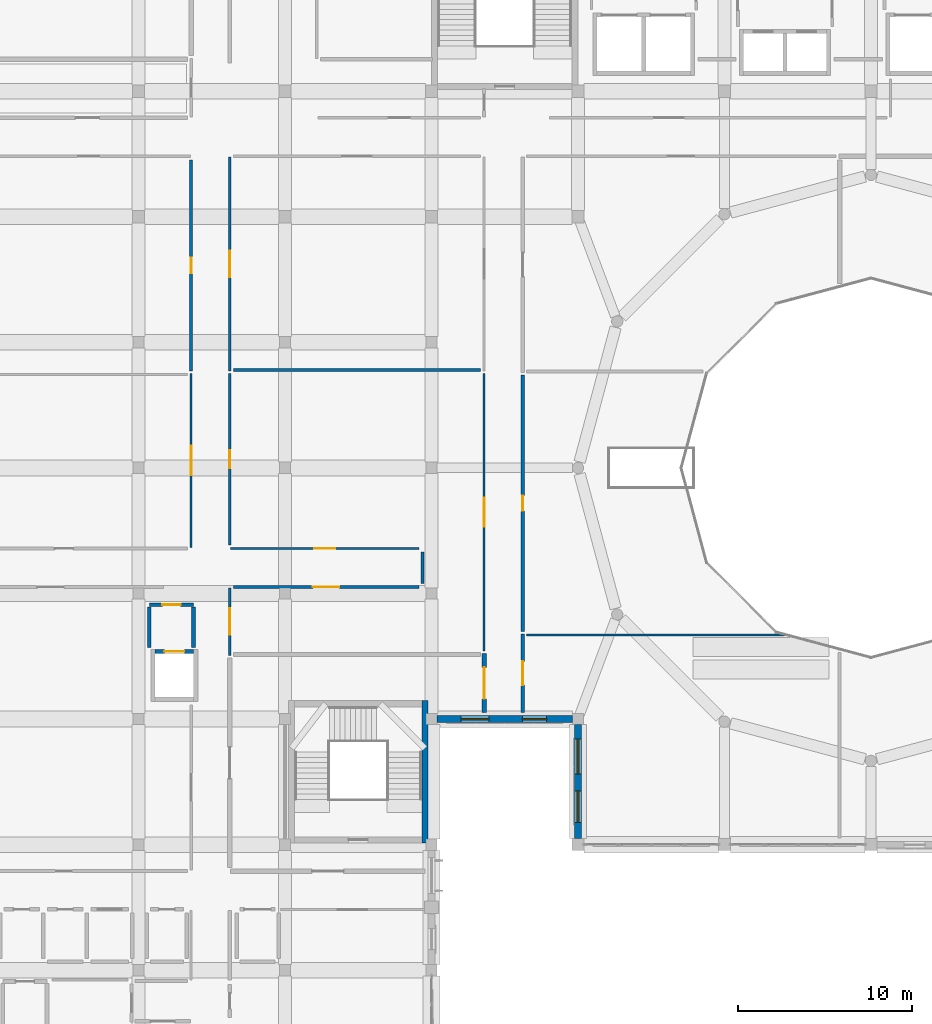
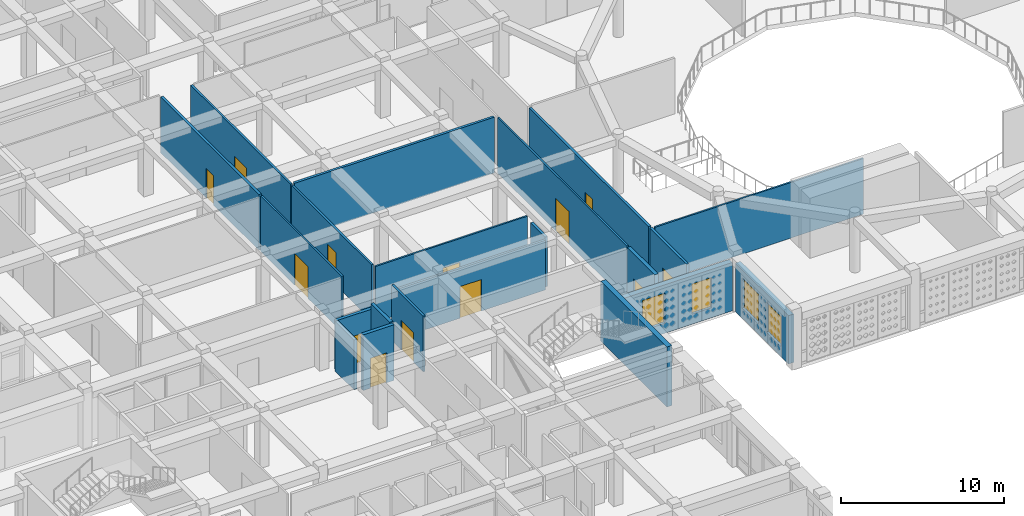
# One storey, part 44 of 79: 21 walls, 13 doors, 4 windows, 17 openings.
"""IFC4 building model written with IfcOpenShell, lengths in metres."""

from ifc_helpers import new_model, si_unit, derived_unit, direction, frame, frame_2d, origin, place, context, subcontext, project, spatial, rectangle, extrude, material, layer, layer_set, type_object, element, fill, save


model = new_model("IFC4")

# Units and contexts
model_context = context("Model", 3, precision=1e-05, world=origin(), true_north=direction((0.0, 1.0)))
body_context = subcontext(model_context, "Body", "Model", "MODEL_VIEW")
ifc_project = project(units=[si_unit("LENGTHUNIT", "METRE"), si_unit("AREAUNIT", "SQUARE_METRE"), si_unit("VOLUMEUNIT", "CUBIC_METRE"), si_unit("PLANEANGLEUNIT", "RADIAN"), si_unit("MASSUNIT", "GRAM", prefix="KILO"), derived_unit("THERMALTRANSMITTANCEUNIT", [(si_unit("POWERUNIT", "WATT"), 1), (si_unit("LENGTHUNIT", "METRE"), -2), (si_unit("THERMODYNAMICTEMPERATUREUNIT", "KELVIN"), -1)])], contexts=[model_context])

# Site, building, storey
site_placement = place(None, origin())
site = spatial("IfcSite", under=ifc_project, at=site_placement, CompositionType="ELEMENT")
building_placement = place(site_placement, origin())
building = spatial("IfcBuilding", under=site, at=building_placement, Name="Veybourne Emporium", CompositionType="ELEMENT")
storey_placement = place(building_placement, frame((0.0, 0.0, 18.89990234375)))
storey = spatial("IfcBuildingStorey", under=building, at=storey_placement, Name="L04", CompositionType="ELEMENT", Elevation=18.89990234375)

# Wall, openings, windows
ifc_material_1 = material(Name="Portland Limestone Ashlar", Category="masonry")
ifc_layer_1 = layer(ifc_material_1, 0.3798828125)
ifc_layer_set_1 = layer_set([ifc_layer_1], Name="Portland Limestone Ashlar")
wall_type_1 = type_object("IfcWallType", Name="ExtWall_EW-03", PredefinedType="SOLIDWALL", material=ifc_layer_set_1)
wall_1_placement = place(storey_placement, frame((58.47509765625, 36.0, 0.0), z_axis=(0.0, 0.0, 1.0), x_axis=(-1.0, 0.0, 0.0)))
wall_1 = element("IfcWall", 1, at=wall_1_placement, inside=storey, type_object=wall_type_1, Name="L04 Portland stone external wall 031", PredefinedType="SOLIDWALL", context=body_context, shape_type="SweptSolid", body=[
    extrude(rectangle(XDim=7.75, YDim=0.3798828125, at=frame_2d((3.875, 0.0))), origin(), (0.0, 0.0, 1.0), 3.630126953125),
])
opening_1_placement = place(wall_1_placement, frame((1.469970703125, 0.0, 0.75)))
opening_1 = element("IfcOpeningElement", 2, at=opening_1_placement, cuts=wall_1, Name="Opening W-18", PredefinedType="OPENING", context=body_context, shape_type="SweptSolid", body=[
    extrude(rectangle(XDim=1.39990234375, YDim=2.260009765625, at=frame_2d((0.699951171875, 1.1298828125))), frame((0.0, 0.2099609375, 0.0), z_axis=(0.0, -1.0, 0.0), x_axis=(1.0, 0.0, 0.0)), (0.0, 0.0, 1.0), 0.419921875),
])
opening_2_placement = place(wall_1_placement, frame((4.780029296875, 0.0, 0.75)))
opening_2 = element("IfcOpeningElement", 3, at=opening_2_placement, cuts=wall_1, Name="Opening W-19", PredefinedType="OPENING", context=body_context, shape_type="SweptSolid", body=[
    extrude(rectangle(XDim=1.60009765625, YDim=2.260009765625, at=frame_2d((0.800048828125, 1.1298828125))), frame((0.0, 0.2099609375, 0.0), z_axis=(0.0, -1.0, 0.0), x_axis=(1.0, 0.0, 0.0)), (0.0, 0.0, 1.0), 0.419921875),
])
ifc_material_2 = material(Name="Low-E Triple Glazing", Category="glass")
window_type_1 = type_object("IfcWindowType", Name="Win_W-18", PartitioningType="DOUBLE_PANEL_VERTICAL", PredefinedType="WINDOW", material=ifc_material_2)
window_1_placement = place(opening_1_placement, origin())
window_1 = element("IfcWindow", 4, at=window_1_placement, inside=storey, type_object=window_type_1, Name="L04 tripartite bronze casement window W-18 (31.1)", OverallHeight=2.260009765625, OverallWidth=1.39990234375, PartitioningType="DOUBLE_PANEL_VERTICAL", PredefinedType="WINDOW", context=body_context, shape_type="SweptSolid", body=[
    extrude(rectangle(XDim=1.39990234375, YDim=2.260009765625, at=frame_2d((0.699951171875, 1.1298828125))), frame((0.0, 0.030029296875, 0.0), z_axis=(0.0, -1.0, 0.0), x_axis=(1.0, 0.0, 0.0)), (0.0, 0.0, 1.0), 0.06005859375),
])
fill(opening_1, window_1)
window_type_2 = type_object("IfcWindowType", Name="Win_W-19", PartitioningType="DOUBLE_PANEL_VERTICAL", PredefinedType="WINDOW", material=ifc_material_2)
window_2_placement = place(opening_2_placement, origin())
window_2 = element("IfcWindow", 5, at=window_2_placement, inside=storey, type_object=window_type_2, Name="L04 tripartite bronze casement window W-19 (31.2)", OverallHeight=2.260009765625, OverallWidth=1.60009765625, PartitioningType="DOUBLE_PANEL_VERTICAL", PredefinedType="WINDOW", context=body_context, shape_type="SweptSolid", body=[
    extrude(rectangle(XDim=1.60009765625, YDim=2.260009765625, at=frame_2d((0.800048828125, 1.1298828125))), frame((0.0, 0.030029296875, 0.0), z_axis=(0.0, -1.0, 0.0), x_axis=(1.0, 0.0, 0.0)), (0.0, 0.0, 1.0), 0.06005859375),
])
fill(opening_2, window_2)

wall_2_placement = place(storey_placement, frame((58.800048828125, 29.14990234375, 0.0), z_axis=(0.0, 0.0, 1.0), x_axis=(0.0, 1.0, 0.0)))
wall_2 = element("IfcWall", 6, at=wall_2_placement, inside=storey, type_object=wall_type_1, Name="L04 Portland stone external wall 034", PredefinedType="SOLIDWALL", context=body_context, shape_type="SweptSolid", body=[
    extrude(rectangle(XDim=6.525146484375, YDim=0.3798828125, at=frame_2d((3.2626953125, 0.0))), origin(), (0.0, 0.0, 1.0), 3.630126953125),
])
opening_3_placement = place(wall_2_placement, frame((0.927001953125, 0.0, 0.75)))
opening_3 = element("IfcOpeningElement", 7, at=opening_3_placement, cuts=wall_2, Name="Opening W-20", PredefinedType="OPENING", context=body_context, shape_type="SweptSolid", body=[
    extrude(rectangle(XDim=1.800048828125, YDim=2.260009765625, at=frame_2d((0.89990234375, 1.1298828125))), frame((0.0, 0.2099609375, 0.0), z_axis=(0.0, -1.0, 0.0), x_axis=(1.0, 0.0, 0.0)), (0.0, 0.0, 1.0), 0.419921875),
])
opening_4_placement = place(wall_2_placement, frame((3.697998046875, 0.0, 0.75)))
opening_4 = element("IfcOpeningElement", 8, at=opening_4_placement, cuts=wall_2, Name="Opening W-21", PredefinedType="OPENING", context=body_context, shape_type="SweptSolid", body=[
    extrude(rectangle(XDim=2.0, YDim=2.260009765625, at=frame_2d((1.0, 1.1298828125))), frame((0.0, 0.2099609375, 0.0), z_axis=(0.0, -1.0, 0.0), x_axis=(1.0, 0.0, 0.0)), (0.0, 0.0, 1.0), 0.419921875),
])
window_type_3 = type_object("IfcWindowType", Name="Win_W-20", PartitioningType="DOUBLE_PANEL_VERTICAL", PredefinedType="WINDOW", material=ifc_material_2)
window_3_placement = place(opening_3_placement, origin())
window_3 = element("IfcWindow", 9, at=window_3_placement, inside=storey, type_object=window_type_3, Name="L04 tripartite bronze casement window W-20 (34.1)", OverallHeight=2.260009765625, OverallWidth=1.800048828125, PartitioningType="DOUBLE_PANEL_VERTICAL", PredefinedType="WINDOW", context=body_context, shape_type="SweptSolid", body=[
    extrude(rectangle(XDim=1.800048828125, YDim=2.260009765625, at=frame_2d((0.89990234375, 1.1298828125))), frame((0.0, 0.030029296875, 0.0), z_axis=(0.0, -1.0, 0.0), x_axis=(1.0, 0.0, 0.0)), (0.0, 0.0, 1.0), 0.06005859375),
])
fill(opening_3, window_3)
window_type_4 = type_object("IfcWindowType", Name="Win_W-21", PartitioningType="TRIPLE_PANEL_VERTICAL", PredefinedType="WINDOW", material=ifc_material_2)
window_4_placement = place(opening_4_placement, origin())
window_4 = element("IfcWindow", 10, at=window_4_placement, inside=storey, type_object=window_type_4, Name="L04 tripartite bronze casement window W-21 (34.2)", OverallHeight=2.260009765625, OverallWidth=2.0, PartitioningType="TRIPLE_PANEL_VERTICAL", PredefinedType="WINDOW", context=body_context, shape_type="SweptSolid", body=[
    extrude(rectangle(XDim=2.0, YDim=2.260009765625, at=frame_2d((1.0, 1.1298828125))), frame((0.0, 0.030029296875, 0.0), z_axis=(0.0, -1.0, 0.0), x_axis=(1.0, 0.0, 0.0)), (0.0, 0.0, 1.0), 0.06005859375),
])
fill(opening_4, window_4)

# Wall
ifc_material_3 = material(Name="Concrete C40/50", Category="concrete")
ifc_layer_2 = layer(ifc_material_3, 0.35009765625)
ifc_layer_set_2 = layer_set([ifc_layer_2], Name="Concrete C40/50")
wall_type_2 = type_object("IfcWallType", Name="IntWall_CW-02", PredefinedType="SHEAR", material=ifc_layer_set_2)
wall_3_placement = place(storey_placement, frame((50.02490234375, 28.89990234375, 0.0), z_axis=(0.0, 0.0, 1.0), x_axis=(0.0, 1.0, 0.0)))
element("IfcWall", 11, at=wall_3_placement, inside=storey, type_object=wall_type_2, Name="Core stair ST-05 east shear wall (L04)", PredefinedType="SHEAR", context=body_context, shape_type="SweptSolid", body=[
    extrude(rectangle(XDim=8.150146484375, YDim=0.35009765625, at=frame_2d((4.0751953125, 0.0))), origin(), (0.0, 0.0, 1.0), 4.5),
])

# Wall, opening, door
ifc_layer_3 = layer(ifc_material_3, 0.239990234375)
ifc_layer_set_3 = layer_set([ifc_layer_3], Name="Concrete C40/50")
wall_type_3 = type_object("IfcWallType", Name="IntWall_CW-04", PredefinedType="SHEAR", material=ifc_layer_set_3)
wall_4_placement = place(storey_placement, frame((36.760009765625, 39.8701171875, 0.0), z_axis=(0.0, 0.0, 1.0), x_axis=(-1.0, 0.0, 0.0)))
wall_4 = element("IfcWall", 12, at=wall_4_placement, inside=storey, type_object=wall_type_3, Name="Lift core C3 north shaft wall (L04)", PredefinedType="SHEAR", context=body_context, shape_type="SweptSolid", body=[
    extrude(rectangle(XDim=2.199951171875, YDim=0.239990234375, at=frame_2d((1.10009765625, 0.0))), origin(), (0.0, 0.0, 1.0), 4.18017578125),
])
opening_5_placement = place(wall_4_placement, frame((0.52490234375, 0.0, 0.0)))
opening_5 = element("IfcOpeningElement", 13, at=opening_5_placement, cuts=wall_4, Name="Opening LD-02", PredefinedType="OPENING", context=body_context, shape_type="SweptSolid", body=[
    extrude(rectangle(XDim=1.14990234375, YDim=2.25, at=frame_2d((0.574951171875, 1.125))), frame((0.0, 0.14013671875, 0.0), z_axis=(0.0, -1.0, 0.0), x_axis=(1.0, 0.0, 0.0)), (0.0, 0.0, 1.0), 0.280029296875),
])
ifc_material_4 = material(Name="Patinated Architectural Bronze", Category="bronze")
door_type_1 = type_object("IfcDoorType", Name="FireDoor_LD-02", OperationType="SLIDING_TO_LEFT", PredefinedType="DOOR", material=ifc_material_4)
door_1_placement = place(opening_5_placement, origin())
door_1 = element("IfcDoor", 14, at=door_1_placement, inside=storey, type_object=door_type_1, Name="Lift FFL-03 sliding landing door (L04)", OperationType="SLIDING_TO_LEFT", OverallHeight=2.25, OverallWidth=1.14990234375, PredefinedType="DOOR", context=body_context, shape_type="SweptSolid", body=[
    extrude(rectangle(XDim=1.14990234375, YDim=2.25, at=frame_2d((0.574951171875, 1.125))), frame((0.0, 0.02490234375, 0.0), z_axis=(0.0, -1.0, 0.0), x_axis=(1.0, 0.0, 0.0)), (0.0, 0.0, 1.0), 0.050048828125),
])
fill(opening_5, door_1)

ifc_material_5 = material(Name="Concrete C32/40", Category="concrete")
ifc_layer_4 = layer(ifc_material_5, 0.25)
ifc_layer_set_4 = layer_set([ifc_layer_4], Name="Concrete C32/40")
wall_type_4 = type_object("IfcWallType", Name="IntWall_FW-01", PredefinedType="SOLIDWALL", material=ifc_layer_set_4)
wall_5_placement = place(storey_placement, frame((53.419921875, 36.3701171875, 0.0), z_axis=(0.0, 0.0, 1.0), x_axis=(0.0, 1.0, 0.0)))
wall_5 = element("IfcWall", 15, at=wall_5_placement, inside=storey, type_object=wall_type_4, Name="L04 interior partition FW-01 #067", PredefinedType="SOLIDWALL", context=body_context, shape_type="SweptSolid", body=[
    extrude(rectangle(XDim=3.3798828125, YDim=0.25, at=frame_2d((1.68994140625, 0.0))), origin(), (0.0, 0.0, 1.0), 4.18017578125),
])
opening_6_placement = place(wall_5_placement, frame((0.7900390625, 0.0, 0.0)))
opening_6 = element("IfcOpeningElement", 16, at=opening_6_placement, cuts=wall_5, Name="Opening FD-03", PredefinedType="OPENING", context=body_context, shape_type="SweptSolid", body=[
    extrude(rectangle(XDim=1.800048828125, YDim=2.300048828125, at=frame_2d((0.89990234375, 1.14990234375))), frame((0.0, 0.14501953125, 0.0), z_axis=(0.0, -1.0, 0.0), x_axis=(1.0, 0.0, 0.0)), (0.0, 0.0, 1.0), 0.2900390625),
])
door_type_2 = type_object("IfcDoorType", Name="FireDoor_FD-03", OperationType="DOUBLE_DOOR_SINGLE_SWING", PredefinedType="DOOR", material=ifc_material_4)
door_2_placement = place(opening_6_placement, origin())
door_2 = element("IfcDoor", 17, at=door_2_placement, inside=storey, type_object=door_type_2, Name="L04 interior door FD-03 (PART-L04-067)", OperationType="DOUBLE_DOOR_SINGLE_SWING", OverallHeight=2.300048828125, OverallWidth=1.800048828125, PredefinedType="DOOR", context=body_context, shape_type="SweptSolid", body=[
    extrude(rectangle(XDim=1.800048828125, YDim=2.300048828125, at=frame_2d((0.89990234375, 1.14990234375))), frame((0.0, 0.02490234375, 0.0), z_axis=(0.0, -1.0, 0.0), x_axis=(1.0, 0.0, 0.0)), (0.0, 0.0, 1.0), 0.050048828125),
])
fill(opening_6, door_2)

ifc_layer_5 = layer(ifc_material_5, 0.219970703125)
ifc_layer_set_5 = layer_set([ifc_layer_5], Name="Concrete C32/40")
wall_type_5 = type_object("IfcWallType", Name="IntWall_FW-02", PredefinedType="SOLIDWALL", material=ifc_layer_set_5)
wall_6_placement = place(storey_placement, frame((34.219970703125, 42.550048828125, 0.0), z_axis=(0.0, 0.0, 1.0), x_axis=(1.0, 0.0, 0.0)))
wall_6 = element("IfcWall", 18, at=wall_6_placement, inside=storey, type_object=wall_type_5, Name="Firefighting lobby C3 fire wall N (L04)", PredefinedType="SOLIDWALL", context=body_context, shape_type="SweptSolid", body=[
    extrude(rectangle(XDim=2.5400390625, YDim=0.219970703125, at=frame_2d((1.27001953125, 0.0))), origin(), (0.0, 0.0, 1.0), 3.72998046875),
])
opening_7_placement = place(wall_6_placement, frame((0.7451171875, 0.0, 0.0)))
opening_7 = element("IfcOpeningElement", 19, at=opening_7_placement, cuts=wall_6, Name="Opening FD-02", PredefinedType="OPENING", context=body_context, shape_type="SweptSolid", body=[
    extrude(rectangle(XDim=1.050048828125, YDim=2.14990234375, at=frame_2d((0.52490234375, 1.074951171875))), frame((0.0, 0.1298828125, 0.0), z_axis=(0.0, -1.0, 0.0), x_axis=(1.0, 0.0, 0.0)), (0.0, 0.0, 1.0), 0.260009765625),
])
door_type_3 = type_object("IfcDoorType", Name="FireDoor_FD-02", OperationType="NOTDEFINED", PredefinedType="DOOR", material=ifc_material_4)
door_3_placement = place(opening_7_placement, origin())
door_3 = element("IfcDoor", 20, at=door_3_placement, inside=storey, type_object=door_type_3, Name="Firefighting lobby C3 FD60S door N (L04)", OperationType="SINGLE_SWING_RIGHT", OverallHeight=2.14990234375, OverallWidth=1.050048828125, PredefinedType="DOOR", context=body_context, shape_type="SweptSolid", body=[
    extrude(rectangle(XDim=1.050048828125, YDim=2.14990234375, at=frame_2d((0.52490234375, 1.074951171875))), frame((0.0, 0.02490234375, 0.0), z_axis=(0.0, -1.0, 0.0), x_axis=(1.0, 0.0, 0.0)), (0.0, 0.0, 1.0), 0.050048828125),
])
fill(opening_7, door_3)

# Walls
wall_7_placement = place(storey_placement, frame((34.219970703125, 40.110107421875, 0.0), z_axis=(0.0, 0.0, 1.0), x_axis=(0.0, 1.0, 0.0)))
element("IfcWall", 21, at=wall_7_placement, inside=storey, type_object=wall_type_5, Name="Firefighting lobby C3 fire wall W (L04)", PredefinedType="SOLIDWALL", context=body_context, shape_type="SweptSolid", body=[
    extrude(rectangle(XDim=2.31982421875, YDim=0.219970703125, at=frame_2d((1.159912109375, 0.0))), origin(), (0.0, 0.0, 1.0), 3.72998046875),
])
wall_8_placement = place(storey_placement, frame((36.760009765625, 40.110107421875, 0.0), z_axis=(0.0, 0.0, 1.0), x_axis=(0.0, 1.0, 0.0)))
element("IfcWall", 22, at=wall_8_placement, inside=storey, type_object=wall_type_5, Name="Firefighting lobby C3 fire wall E (L04)", PredefinedType="SOLIDWALL", context=body_context, shape_type="SweptSolid", body=[
    extrude(rectangle(XDim=2.31982421875, YDim=0.219970703125, at=frame_2d((1.159912109375, 0.0))), origin(), (0.0, 0.0, 1.0), 4.18017578125),
])

# Wall, opening, door
ifc_material_6 = material(Name="Gypsum Acoustic Board", Category="gypsum")
ifc_layer_6 = layer(ifc_material_6, 0.179931640625)
ifc_layer_set_6 = layer_set([ifc_layer_6], Name="Gypsum Acoustic Board")
wall_type_6 = type_object("IfcWallType", Name="IntWall_IW-01", PredefinedType="PARTITIONING", material=ifc_layer_set_6)
wall_9_placement = place(storey_placement, frame((55.6298828125, 41.030029296875, 0.0), z_axis=(0.0, 0.0, 1.0), x_axis=(0.0, 1.0, 0.0)))
wall_9 = element("IfcWall", 23, at=wall_9_placement, inside=storey, type_object=wall_type_6, Name="L04 interior partition IW-01 #013", PredefinedType="PARTITIONING", context=body_context, shape_type="SweptSolid", body=[
    extrude(rectangle(XDim=14.68994140625, YDim=0.179931640625, at=frame_2d((7.344970703125, 0.0))), origin(), (0.0, 0.0, 1.0), 4.18017578125),
])
opening_8_placement = place(wall_9_placement, frame((6.905029296875, 0.0, 0.0)))
opening_8 = element("IfcOpeningElement", 24, at=opening_8_placement, cuts=wall_9, Name="Opening D-01", PredefinedType="OPENING", context=body_context, shape_type="SweptSolid", body=[
    extrude(rectangle(XDim=0.8798828125, YDim=2.050048828125, at=frame_2d((0.43994140625, 1.02490234375))), frame((0.0, 0.10986328125, 0.0), z_axis=(0.0, -1.0, 0.0), x_axis=(1.0, 0.0, 0.0)), (0.0, 0.0, 1.0), 0.219970703125),
])
ifc_material_7 = material(Name="European Oak Veneer and Bronze", Category="wood")
door_type_4 = type_object("IfcDoorType", Name="IntDoor_D-01", OperationType="NOTDEFINED", PredefinedType="DOOR", material=ifc_material_7)
door_4_placement = place(opening_8_placement, origin())
door_4 = element("IfcDoor", 25, at=door_4_placement, inside=storey, type_object=door_type_4, Name="L04 interior door D-01 (PART-L04-013)", OperationType="SINGLE_SWING_LEFT", OverallHeight=2.050048828125, OverallWidth=0.8798828125, PredefinedType="DOOR", context=body_context, shape_type="SweptSolid", body=[
    extrude(rectangle(XDim=0.8798828125, YDim=2.050048828125, at=frame_2d((0.43994140625, 1.02490234375))), frame((0.0, 0.02490234375, 0.0), z_axis=(0.0, -1.0, 0.0), x_axis=(1.0, 0.0, 0.0)), (0.0, 0.0, 1.0), 0.050048828125),
])
fill(opening_8, door_4)

wall_10_placement = place(storey_placement, frame((36.6201171875, 55.965087890625, 0.0), z_axis=(0.0, 0.0, 1.0), x_axis=(0.0, 1.0, 0.0)))
wall_10 = element("IfcWall", 26, at=wall_10_placement, inside=storey, type_object=wall_type_6, Name="L04 interior partition IW-01 #025", PredefinedType="PARTITIONING", context=body_context, shape_type="SweptSolid", body=[
    extrude(rectangle(XDim=12.094970703125, YDim=0.179931640625, at=frame_2d((6.04736328125, 0.0))), origin(), (0.0, 0.0, 1.0), 4.18017578125),
])
opening_9_placement = place(wall_10_placement, frame((5.607421875, 0.0, 0.0)))
opening_9 = element("IfcOpeningElement", 27, at=opening_9_placement, cuts=wall_10, Name="Opening D-13", PredefinedType="OPENING", context=body_context, shape_type="SweptSolid", body=[
    extrude(rectangle(XDim=0.8798828125, YDim=2.2099609375, at=frame_2d((0.43994140625, 1.10498046875))), frame((0.0, 0.10986328125, 0.0), z_axis=(0.0, -1.0, 0.0), x_axis=(1.0, 0.0, 0.0)), (0.0, 0.0, 1.0), 0.219970703125),
])
door_type_5 = type_object("IfcDoorType", Name="IntDoor_D-13", OperationType="NOTDEFINED", PredefinedType="DOOR", material=ifc_material_7)
door_5_placement = place(opening_9_placement, origin())
door_5 = element("IfcDoor", 28, at=door_5_placement, inside=storey, type_object=door_type_5, Name="L04 interior door D-13 (PART-L04-025)", OperationType="SINGLE_SWING_RIGHT", OverallHeight=2.2099609375, OverallWidth=0.8798828125, PredefinedType="DOOR", context=body_context, shape_type="SweptSolid", body=[
    extrude(rectangle(XDim=0.8798828125, YDim=2.2099609375, at=frame_2d((0.43994140625, 1.10498046875))), frame((0.0, 0.02490234375, 0.0), z_axis=(0.0, -1.0, 0.0), x_axis=(1.0, 0.0, 0.0)), (0.0, 0.0, 1.0), 0.050048828125),
])
fill(opening_9, door_5)

wall_11_placement = place(storey_placement, frame((55.6298828125, 36.3701171875, 0.0), z_axis=(0.0, 0.0, 1.0), x_axis=(0.0, 1.0, 0.0)))
wall_11 = element("IfcWall", 29, at=wall_11_placement, inside=storey, type_object=wall_type_6, Name="L04 interior partition IW-01 #058", PredefinedType="PARTITIONING", context=body_context, shape_type="SweptSolid", body=[
    extrude(rectangle(XDim=4.5, YDim=0.179931640625, at=frame_2d((2.25, 0.0))), origin(), (0.0, 0.0, 1.0), 4.18017578125),
])
opening_10_placement = place(wall_11_placement, frame((1.570068359375, 0.0, 0.0)))
opening_10 = element("IfcOpeningElement", 30, at=opening_10_placement, cuts=wall_11, Name="Opening D-10", PredefinedType="OPENING", context=body_context, shape_type="SweptSolid", body=[
    extrude(rectangle(XDim=1.360107421875, YDim=2.1298828125, at=frame_2d((0.68017578125, 1.06494140625))), frame((0.0, 0.10986328125, 0.0), z_axis=(0.0, -1.0, 0.0), x_axis=(1.0, 0.0, 0.0)), (0.0, 0.0, 1.0), 0.219970703125),
])
door_type_6 = type_object("IfcDoorType", Name="IntDoor_D-10", OperationType="NOTDEFINED", PredefinedType="DOOR", material=ifc_material_7)
door_6_placement = place(opening_10_placement, origin())
door_6 = element("IfcDoor", 31, at=door_6_placement, inside=storey, type_object=door_type_6, Name="L04 interior door D-10 (PART-L04-058)", OperationType="SINGLE_SWING_LEFT", OverallHeight=2.1298828125, OverallWidth=1.360107421875, PredefinedType="DOOR", context=body_context, shape_type="SweptSolid", body=[
    extrude(rectangle(XDim=1.360107421875, YDim=2.1298828125, at=frame_2d((0.68017578125, 1.06494140625))), frame((0.0, 0.02490234375, 0.0), z_axis=(0.0, -1.0, 0.0), x_axis=(1.0, 0.0, 0.0)), (0.0, 0.0, 1.0), 0.050048828125),
])
fill(opening_10, door_6)

# Walls
wall_12_placement = place(storey_placement, frame((49.8798828125, 43.780029296875, 0.0), z_axis=(0.0, 0.0, 1.0), x_axis=(0.0, 1.0, 0.0)))
element("IfcWall", 32, at=wall_12_placement, inside=storey, type_object=wall_type_6, Name="L04 interior partition IW-01 #094", PredefinedType="PARTITIONING", context=body_context, shape_type="SweptSolid", body=[
    extrude(rectangle(XDim=1.7900390625, YDim=0.179931640625, at=frame_2d((0.89501953125, 0.0))), origin(), (0.0, 0.0, 1.0), 3.72998046875),
])
wall_13_placement = place(storey_placement, frame((39.0400390625, 56.010009765625, 0.0), z_axis=(0.0, 0.0, 1.0), x_axis=(1.0, 0.0, 0.0)))
element("IfcWall", 33, at=wall_13_placement, inside=storey, type_object=wall_type_6, Name="L04 interior partition IW-01 #112", PredefinedType="PARTITIONING", context=body_context, shape_type="SweptSolid", body=[
    extrude(rectangle(XDim=14.169921875, YDim=0.179931640625, at=frame_2d((7.0849609375, 0.0))), origin(), (0.0, 0.0, 1.0), 4.18017578125),
])

# Wall, opening, door
ifc_layer_7 = layer(ifc_material_6, 0.14990234375)
ifc_layer_set_7 = layer_set([ifc_layer_7], Name="Gypsum Acoustic Board")
wall_type_7 = type_object("IfcWallType", Name="IntWall_IW-02", PredefinedType="PARTITIONING", material=ifc_layer_set_7)
wall_14_placement = place(storey_placement, frame((38.830078125, 55.9599609375, 0.0), z_axis=(0.0, 0.0, 1.0), x_axis=(0.0, 1.0, 0.0)))
wall_14 = element("IfcWall", 34, at=wall_14_placement, inside=storey, type_object=wall_type_7, Name="L04 interior partition IW-02 #023", PredefinedType="PARTITIONING", context=body_context, shape_type="SweptSolid", body=[
    extrude(rectangle(XDim=12.260009765625, YDim=0.14990234375, at=frame_2d((6.1298828125, 0.0))), origin(), (0.0, 0.0, 1.0), 4.18017578125),
])
opening_11_placement = place(wall_14_placement, frame((5.3701171875, 0.0, 0.0)))
opening_11 = element("IfcOpeningElement", 35, at=opening_11_placement, cuts=wall_14, Name="Opening D-11", PredefinedType="OPENING", context=body_context, shape_type="SweptSolid", body=[
    extrude(rectangle(XDim=1.52001953125, YDim=2.1298828125, at=frame_2d((0.760009765625, 1.06494140625))), frame((0.0, 0.094970703125, 0.0), z_axis=(0.0, -1.0, 0.0), x_axis=(1.0, 0.0, 0.0)), (0.0, 0.0, 1.0), 0.18994140625),
])
door_type_7 = type_object("IfcDoorType", Name="IntDoor_D-11", OperationType="NOTDEFINED", PredefinedType="DOOR", material=ifc_material_7)
door_7_placement = place(opening_11_placement, origin())
door_7 = element("IfcDoor", 36, at=door_7_placement, inside=storey, type_object=door_type_7, Name="L04 interior door D-11 (PART-L04-023)", OperationType="SINGLE_SWING_LEFT", OverallHeight=2.1298828125, OverallWidth=1.52001953125, PredefinedType="DOOR", context=body_context, shape_type="SweptSolid", body=[
    extrude(rectangle(XDim=1.52001953125, YDim=2.1298828125, at=frame_2d((0.760009765625, 1.06494140625))), frame((0.0, 0.02490234375, 0.0), z_axis=(0.0, -1.0, 0.0), x_axis=(1.0, 0.0, 0.0)), (0.0, 0.0, 1.0), 0.050048828125),
])
fill(opening_11, door_7)

wall_15_placement = place(storey_placement, frame((39.0400390625, 43.570068359375, 0.0), z_axis=(0.0, 0.0, 1.0), x_axis=(1.0, 0.0, 0.0)))
wall_15 = element("IfcWall", 37, at=wall_15_placement, inside=storey, type_object=wall_type_7, Name="L04 interior partition IW-02 #041", PredefinedType="PARTITIONING", context=body_context, shape_type="SweptSolid", body=[
    extrude(rectangle(XDim=10.6298828125, YDim=0.14990234375, at=frame_2d((5.31494140625, 0.0))), origin(), (0.0, 0.0, 1.0), 3.72998046875),
])
opening_12_placement = place(wall_15_placement, frame((4.554931640625, 0.0, 0.0)))
opening_12 = element("IfcOpeningElement", 38, at=opening_12_placement, cuts=wall_15, Name="Opening D-29", PredefinedType="OPENING", context=body_context, shape_type="SweptSolid", body=[
    extrude(rectangle(XDim=1.52001953125, YDim=2.3701171875, at=frame_2d((0.760009765625, 1.18505859375))), frame((0.0, 0.094970703125, 0.0), z_axis=(0.0, -1.0, 0.0), x_axis=(1.0, 0.0, 0.0)), (0.0, 0.0, 1.0), 0.18994140625),
])
door_type_8 = type_object("IfcDoorType", Name="IntDoor_D-29", OperationType="NOTDEFINED", PredefinedType="DOOR", material=ifc_material_7)
door_8_placement = place(opening_12_placement, origin())
door_8 = element("IfcDoor", 39, at=door_8_placement, inside=storey, type_object=door_type_8, Name="L04 interior door D-29 (PART-L04-041)", OperationType="SINGLE_SWING_RIGHT", OverallHeight=2.3701171875, OverallWidth=1.52001953125, PredefinedType="DOOR", context=body_context, shape_type="SweptSolid", body=[
    extrude(rectangle(XDim=1.52001953125, YDim=2.3701171875, at=frame_2d((0.760009765625, 1.18505859375))), frame((0.0, 0.02490234375, 0.0), z_axis=(0.0, -1.0, 0.0), x_axis=(1.0, 0.0, 0.0)), (0.0, 0.0, 1.0), 0.050048828125),
])
fill(opening_12, door_8)

wall_16_placement = place(storey_placement, frame((38.830078125, 45.989990234375, 0.0), z_axis=(0.0, 0.0, 1.0), x_axis=(0.0, 1.0, 0.0)))
wall_16 = element("IfcWall", 40, at=wall_16_placement, inside=storey, type_object=wall_type_7, Name="L04 interior partition IW-02 #044", PredefinedType="PARTITIONING", context=body_context, shape_type="SweptSolid", body=[
    extrude(rectangle(XDim=9.81005859375, YDim=0.14990234375, at=frame_2d((4.905029296875, 0.0))), origin(), (0.0, 0.0, 1.0), 4.18017578125),
])
opening_13_placement = place(wall_16_placement, frame((4.385009765625, 0.0, 0.0)))
opening_13 = element("IfcOpeningElement", 41, at=opening_13_placement, cuts=wall_16, Name="Opening D-32", PredefinedType="OPENING", context=body_context, shape_type="SweptSolid", body=[
    extrude(rectangle(XDim=1.0400390625, YDim=2.449951171875, at=frame_2d((0.52001953125, 1.22509765625))), frame((0.0, 0.094970703125, 0.0), z_axis=(0.0, -1.0, 0.0), x_axis=(1.0, 0.0, 0.0)), (0.0, 0.0, 1.0), 0.18994140625),
])
door_type_9 = type_object("IfcDoorType", Name="IntDoor_D-32", OperationType="NOTDEFINED", PredefinedType="DOOR", material=ifc_material_7)
door_9_placement = place(opening_13_placement, origin())
door_9 = element("IfcDoor", 42, at=door_9_placement, inside=storey, type_object=door_type_9, Name="L04 interior door D-32 (PART-L04-044)", OperationType="SINGLE_SWING_RIGHT", OverallHeight=2.449951171875, OverallWidth=1.0400390625, PredefinedType="DOOR", context=body_context, shape_type="SweptSolid", body=[
    extrude(rectangle(XDim=1.0400390625, YDim=2.449951171875, at=frame_2d((0.52001953125, 1.22509765625))), frame((0.0, 0.02490234375, 0.0), z_axis=(0.0, -1.0, 0.0), x_axis=(1.0, 0.0, 0.0)), (0.0, 0.0, 1.0), 0.050048828125),
])
fill(opening_13, door_9)

wall_17_placement = place(storey_placement, frame((38.830078125, 39.64990234375, 0.0), z_axis=(0.0, 0.0, 1.0), x_axis=(0.0, 1.0, 0.0)))
wall_17 = element("IfcWall", 43, at=wall_17_placement, inside=storey, type_object=wall_type_7, Name="L04 interior partition IW-02 #065", PredefinedType="PARTITIONING", context=body_context, shape_type="SweptSolid", body=[
    extrude(rectangle(XDim=3.8701171875, YDim=0.14990234375, at=frame_2d((1.93505859375, 0.0))), origin(), (0.0, 0.0, 1.0), 4.18017578125),
])
opening_14_placement = place(wall_17_placement, frame((1.175048828125, 0.0, 0.0)))
opening_14 = element("IfcOpeningElement", 44, at=opening_14_placement, cuts=wall_17, Name="Opening D-17", PredefinedType="OPENING", context=body_context, shape_type="SweptSolid", body=[
    extrude(rectangle(XDim=1.52001953125, YDim=2.2099609375, at=frame_2d((0.760009765625, 1.10498046875))), frame((0.0, 0.094970703125, 0.0), z_axis=(0.0, -1.0, 0.0), x_axis=(1.0, 0.0, 0.0)), (0.0, 0.0, 1.0), 0.18994140625),
])
door_type_10 = type_object("IfcDoorType", Name="IntDoor_D-17", OperationType="NOTDEFINED", PredefinedType="DOOR", material=ifc_material_7)
door_10_placement = place(opening_14_placement, origin())
door_10 = element("IfcDoor", 45, at=door_10_placement, inside=storey, type_object=door_type_10, Name="L04 interior door D-17 (PART-L04-065)", OperationType="SINGLE_SWING_LEFT", OverallHeight=2.2099609375, OverallWidth=1.52001953125, PredefinedType="DOOR", context=body_context, shape_type="SweptSolid", body=[
    extrude(rectangle(XDim=1.52001953125, YDim=2.2099609375, at=frame_2d((0.760009765625, 1.10498046875))), frame((0.0, 0.02490234375, 0.0), z_axis=(0.0, -1.0, 0.0), x_axis=(1.0, 0.0, 0.0)), (0.0, 0.0, 1.0), 0.050048828125),
])
fill(opening_14, door_10)

ifc_layer_8 = layer(ifc_material_6, 0.1201171875)
ifc_layer_set_8 = layer_set([ifc_layer_8], Name="Gypsum Acoustic Board")
wall_type_8 = type_object("IfcWallType", Name="IntWall_IW-03", PredefinedType="PARTITIONING", material=ifc_layer_set_8)
wall_18_placement = place(storey_placement, frame((53.419921875, 39.909912109375, 0.0), z_axis=(0.0, 0.0, 1.0), x_axis=(0.0, 1.0, 0.0)))
wall_18 = element("IfcWall", 46, at=wall_18_placement, inside=storey, type_object=wall_type_8, Name="L04 interior partition IW-03 #012", PredefinedType="PARTITIONING", context=body_context, shape_type="SweptSolid", body=[
    extrude(rectangle(XDim=15.89013671875, YDim=0.1201171875, at=frame_2d((7.945068359375, 0.0))), origin(), (0.0, 0.0, 1.0), 4.18017578125),
])
opening_15_placement = place(wall_18_placement, frame((7.10498046875, 0.0, 0.0)))
opening_15 = element("IfcOpeningElement", 47, at=opening_15_placement, cuts=wall_18, Name="Opening D-36", PredefinedType="OPENING", context=body_context, shape_type="SweptSolid", body=[
    extrude(rectangle(XDim=1.679931640625, YDim=2.449951171875, at=frame_2d((0.83984375, 1.22509765625))), frame((0.0, 0.080078125, 0.0), z_axis=(0.0, -1.0, 0.0), x_axis=(1.0, 0.0, 0.0)), (0.0, 0.0, 1.0), 0.16015625),
])
door_type_11 = type_object("IfcDoorType", Name="IntDoor_D-36", OperationType="DOUBLE_DOOR_SINGLE_SWING", PredefinedType="DOOR", material=ifc_material_7)
door_11_placement = place(opening_15_placement, origin())
door_11 = element("IfcDoor", 48, at=door_11_placement, inside=storey, type_object=door_type_11, Name="L04 interior door D-36 (PART-L04-012)", OperationType="DOUBLE_DOOR_SINGLE_SWING", OverallHeight=2.449951171875, OverallWidth=1.679931640625, PredefinedType="DOOR", context=body_context, shape_type="SweptSolid", body=[
    extrude(rectangle(XDim=1.679931640625, YDim=2.449951171875, at=frame_2d((0.83984375, 1.22509765625))), frame((0.0, 0.02490234375, 0.0), z_axis=(0.0, -1.0, 0.0), x_axis=(1.0, 0.0, 0.0)), (0.0, 0.0, 1.0), 0.050048828125),
])
fill(opening_15, door_11)

wall_19_placement = place(storey_placement, frame((38.8798828125, 45.780029296875, 0.0), z_axis=(0.0, 0.0, 1.0), x_axis=(1.0, 0.0, 0.0)))
wall_19 = element("IfcWall", 49, at=wall_19_placement, inside=storey, type_object=wall_type_8, Name="L04 interior partition IW-03 #039", PredefinedType="PARTITIONING", context=body_context, shape_type="SweptSolid", body=[
    extrude(rectangle(XDim=10.7900390625, YDim=0.1201171875, at=frame_2d((5.39501953125, 0.0))), origin(), (0.0, 0.0, 1.0), 4.18017578125),
])
opening_16_placement = place(wall_19_placement, frame((4.794921875, 0.0, 0.0)))
opening_16 = element("IfcOpeningElement", 50, at=opening_16_placement, cuts=wall_19, Name="Opening D-27", PredefinedType="OPENING", context=body_context, shape_type="SweptSolid", body=[
    extrude(rectangle(XDim=1.199951171875, YDim=2.3701171875, at=frame_2d((0.60009765625, 1.18505859375))), frame((0.0, 0.080078125, 0.0), z_axis=(0.0, -1.0, 0.0), x_axis=(1.0, 0.0, 0.0)), (0.0, 0.0, 1.0), 0.16015625),
])
door_type_12 = type_object("IfcDoorType", Name="IntDoor_D-27", OperationType="NOTDEFINED", PredefinedType="DOOR", material=ifc_material_7)
door_12_placement = place(opening_16_placement, origin())
door_12 = element("IfcDoor", 51, at=door_12_placement, inside=storey, type_object=door_type_12, Name="L04 interior door D-27 (PART-L04-039)", OperationType="SINGLE_SWING_LEFT", OverallHeight=2.3701171875, OverallWidth=1.199951171875, PredefinedType="DOOR", context=body_context, shape_type="SweptSolid", body=[
    extrude(rectangle(XDim=1.199951171875, YDim=2.3701171875, at=frame_2d((0.60009765625, 1.18505859375))), frame((0.0, 0.02490234375, 0.0), z_axis=(0.0, -1.0, 0.0), x_axis=(1.0, 0.0, 0.0)), (0.0, 0.0, 1.0), 0.050048828125),
])
fill(opening_16, door_12)

wall_20_placement = place(storey_placement, frame((36.6201171875, 45.830078125, 0.0), z_axis=(0.0, 0.0, 1.0), x_axis=(0.0, 1.0, 0.0)))
wall_20 = element("IfcWall", 52, at=wall_20_placement, inside=storey, type_object=wall_type_8, Name="L04 interior partition IW-03 #042", PredefinedType="PARTITIONING", context=body_context, shape_type="SweptSolid", body=[
    extrude(rectangle(XDim=9.974853515625, YDim=0.1201171875, at=frame_2d((4.9873046875, 0.0))), origin(), (0.0, 0.0, 1.0), 4.18017578125),
])
opening_17_placement = place(wall_20_placement, frame((4.1474609375, 0.0, 0.0)))
opening_17 = element("IfcOpeningElement", 53, at=opening_17_placement, cuts=wall_20, Name="Opening D-30", PredefinedType="OPENING", context=body_context, shape_type="SweptSolid", body=[
    extrude(rectangle(XDim=1.679931640625, YDim=2.3701171875, at=frame_2d((0.83984375, 1.18505859375))), frame((0.0, 0.080078125, 0.0), z_axis=(0.0, -1.0, 0.0), x_axis=(1.0, 0.0, 0.0)), (0.0, 0.0, 1.0), 0.16015625),
])
door_type_13 = type_object("IfcDoorType", Name="IntDoor_D-30", OperationType="DOUBLE_DOOR_SINGLE_SWING", PredefinedType="DOOR", material=ifc_material_7)
door_13_placement = place(opening_17_placement, origin())
door_13 = element("IfcDoor", 54, at=door_13_placement, inside=storey, type_object=door_type_13, Name="L04 interior door D-30 (PART-L04-042)", OperationType="DOUBLE_DOOR_SINGLE_SWING", OverallHeight=2.3701171875, OverallWidth=1.679931640625, PredefinedType="DOOR", context=body_context, shape_type="SweptSolid", body=[
    extrude(rectangle(XDim=1.679931640625, YDim=2.3701171875, at=frame_2d((0.83984375, 1.18505859375))), frame((0.0, 0.02490234375, 0.0), z_axis=(0.0, -1.0, 0.0), x_axis=(1.0, 0.0, 0.0)), (0.0, 0.0, 1.0), 0.050048828125),
])
fill(opening_17, door_13)

# Wall
wall_21_placement = place(storey_placement, frame((55.840087890625, 40.820068359375, 0.0), z_axis=(0.0, 0.0, 1.0), x_axis=(1.0, 0.0, 0.0)))
element("IfcWall", 55, at=wall_21_placement, inside=storey, type_object=wall_type_8, Name="L04 interior partition IW-03 #108", PredefinedType="PARTITIONING", context=body_context, shape_type="SweptSolid", body=[
    extrude(rectangle(XDim=14.7958984375, YDim=0.1201171875, at=frame_2d((7.39794921875, 0.0))), origin(), (0.0, 0.0, 1.0), 4.18017578125),
])

save(model, "model.ifc")
